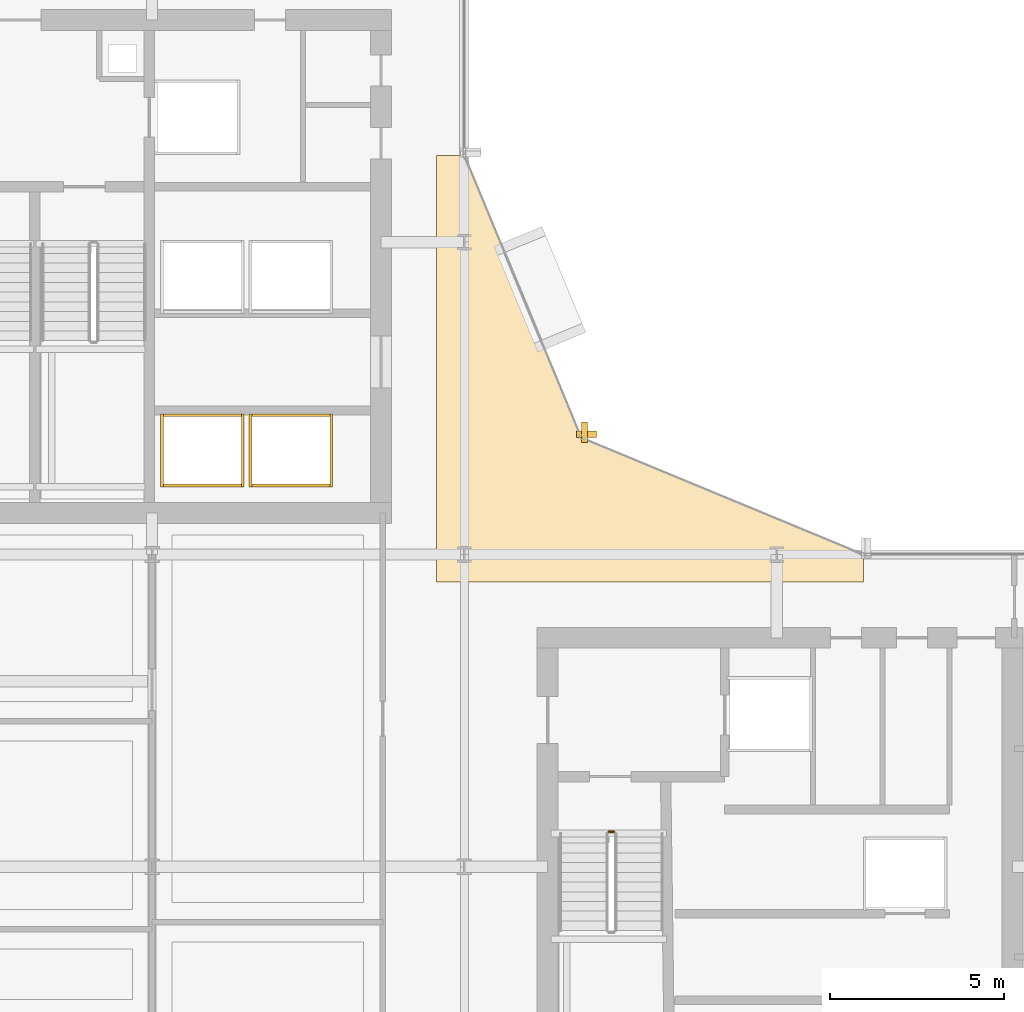
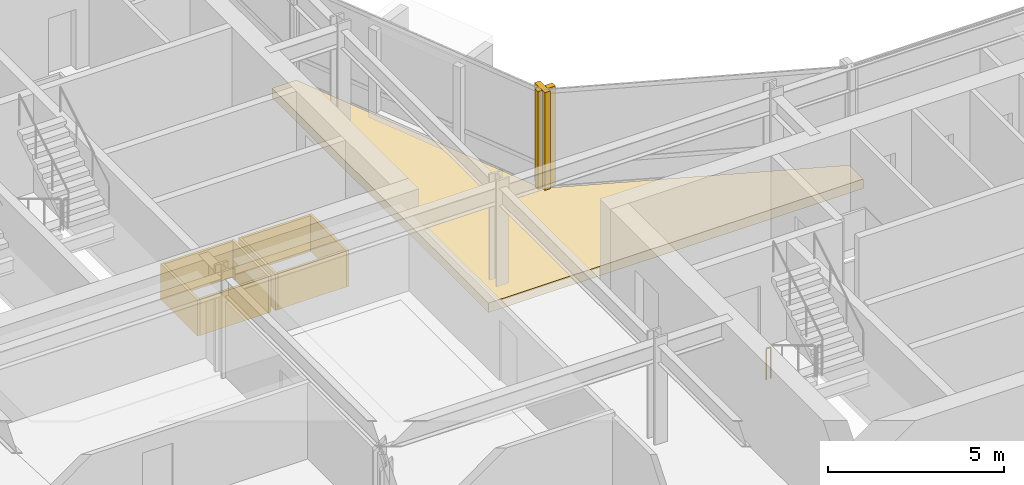
# One storey, part 26 of 28: 11 coverings, 1 railing.
"""IFC4 building model written with IfcOpenShell, lengths in metres."""

import ifcopenshell
import ifcopenshell.guid

model = None  # the IFC model being written
_history = None  # IfcOwnerHistory: only IFC2X3 demands one
_inside = {}  # id of a spatial element -> (the spatial element, [elements in it])
_under = {}  # id of a project, library or spatial element -> (it, [spatial elements below it])
_declared = {}  # id of a project -> (the project, [libraries it declares])
_typed = {}  # id of a type object -> (the type object, [elements of that type])
_made_of = {}  # id of a material, layer set ... -> (it, [elements and type objects made of it])


def new_model(schema):
    """Start an empty IFC model of exactly this schema.

    Asked for "IFC4X3", IfcOpenShell would pick the latest addendum, in which some entities
    have other attributes; the version numbers below select the first issue.
    IFC2X3 requires an IfcOwnerHistory on every rooted entity: one is made here for all.
    """
    global model, _history
    if schema == "IFC4X3":
        model = ifcopenshell.file(schema_version=(4, 3, 0, 0))
    else:
        model = ifcopenshell.file(schema=schema)
    _inside.clear()
    _under.clear()
    _declared.clear()
    _typed.clear()
    _made_of.clear()
    _history = None
    if model.schema == "IFC2X3":
        org = make("IfcOrganization", Name="unknown")
        user = make(
            "IfcPersonAndOrganization",
            ThePerson=make("IfcPerson", FamilyName="unknown"),
            TheOrganization=org,
        )
        app = make(
            "IfcApplication",
            ApplicationDeveloper=org,
            Version="unknown",
            ApplicationFullName="unknown",
            ApplicationIdentifier="unknown",
        )
        _history = make(
            "IfcOwnerHistory",
            OwningUser=user,
            OwningApplication=app,
            ChangeAction="ADDED",
            CreationDate=0,
        )
    return model


def make(cls, **values):
    """One entity of the class cls with the attributes given. An attribute that is None is left unset."""
    return model.create_entity(
        cls, **{name: value for name, value in values.items() if value is not None}
    )


def rooted(cls, **values):
    """An entity with a GlobalId (a new one), such as an element, a storey or a relation."""
    return make(cls, GlobalId=ifcopenshell.guid.new(), OwnerHistory=_history, **values)


def si_unit(unit_type, name, prefix=None):
    """IfcSIUnit, for example si_unit("LENGTHUNIT", "METRE", prefix="MILLI")."""
    return make("IfcSIUnit", UnitType=unit_type, Prefix=prefix, Name=name)


def assignment(units):
    """IfcUnitAssignment: the units of a project."""
    return None if units is None else make("IfcUnitAssignment", Units=units)


def point(xyz):
    """IfcCartesianPoint."""
    return None if xyz is None else make("IfcCartesianPoint", Coordinates=xyz)


def direction(xyz):
    """IfcDirection."""
    return None if xyz is None else make("IfcDirection", DirectionRatios=xyz)


def frame(location, z_axis=None, x_axis=None):
    """IfcAxis2Placement3D, a coordinate frame: its origin and axes. An axis left out is left unset."""
    return make(
        "IfcAxis2Placement3D",
        Location=point(location),
        Axis=direction(z_axis),
        RefDirection=direction(x_axis),
    )


def frame_2d(location, x_axis=None):
    """IfcAxis2Placement2D, a coordinate frame in the plane: its origin and x axis."""
    return make(
        "IfcAxis2Placement2D", Location=point(location), RefDirection=direction(x_axis)
    )


def origin():
    """The frame at (0, 0, 0) with its axes left unset."""
    return frame((0.0, 0.0, 0.0))


def origin_2d():
    """The frame at (0, 0) in the plane with its x axis left unset."""
    return frame_2d((0.0, 0.0))


def place(relative_to, where):
    """IfcLocalPlacement: puts the frame where relative to a parent placement (None: the world)."""
    return make(
        "IfcLocalPlacement", PlacementRelTo=relative_to, RelativePlacement=where
    )


def context(
    kind, dimensions, precision=None, world=None, true_north=None, identifier=None
):
    """IfcGeometricRepresentationContext, for example the 3D "Model" context."""
    return make(
        "IfcGeometricRepresentationContext",
        ContextIdentifier=identifier,
        ContextType=kind,
        CoordinateSpaceDimension=dimensions,
        Precision=precision,
        WorldCoordinateSystem=world,
        TrueNorth=true_north,
    )


def subcontext(parent, identifier, kind, view, scale=None):
    """IfcGeometricRepresentationSubContext, for example "Body" below "Model"."""
    return make(
        "IfcGeometricRepresentationSubContext",
        ContextIdentifier=identifier,
        ContextType=kind,
        ParentContext=parent,
        TargetScale=scale,
        TargetView=view,
    )


def project(units=None, contexts=None):
    """IfcProject with its units and contexts."""
    return rooted(
        "IfcProject",
        Name="project",
        RepresentationContexts=contexts,
        UnitsInContext=assignment(units),
    )


def spatial(cls, under=None, at=None, **own):
    """A site, building, storey or space (cls), placed at a placement, below another one or the project."""
    s = rooted(cls, ObjectPlacement=at, **own)
    if under is not None:
        _under.setdefault(under.id(), (under, []))[1].append(s)
    return s


def polyline(points):
    """IfcPolyline through the points."""
    return make("IfcPolyline", Points=[point(p) for p in points])


def profile(cls, at=None, kind="AREA", **sizes):
    """A parametric profile (cls). Its sizes go by their IFC names, for example OverallWidth=200.0."""
    return make(cls, ProfileType=kind, Position=at, **sizes)


def rectangle(**sizes):
    """IfcRectangleProfileDef."""
    return profile("IfcRectangleProfileDef", **sizes)


def circle(**sizes):
    """IfcCircleProfileDef."""
    return profile("IfcCircleProfileDef", **sizes)


def outline(outer, holes=None, kind="AREA"):
    """IfcArbitraryClosedProfileDef: a profile drawn as a closed curve; with holes, ...WithVoids."""
    if holes is None:
        return make("IfcArbitraryClosedProfileDef", ProfileType=kind, OuterCurve=outer)
    return make(
        "IfcArbitraryProfileDefWithVoids",
        ProfileType=kind,
        OuterCurve=outer,
        InnerCurves=holes,
    )


def extrude(swept, where, along, depth):
    """IfcExtrudedAreaSolid: the profile swept, set in the frame where, extruded along a direction by depth."""
    return make(
        "IfcExtrudedAreaSolid",
        SweptArea=swept,
        Position=where,
        ExtrudedDirection=direction(along),
        Depth=depth,
    )


def shape(context_of_items, identifier, shape_type, items):
    """IfcShapeRepresentation: the items that make up one representation, for example the "Body"."""
    return make(
        "IfcShapeRepresentation",
        ContextOfItems=context_of_items,
        RepresentationIdentifier=identifier,
        RepresentationType=shape_type,
        Items=items,
    )


def material(Name=None, Category=None):
    """IfcMaterial."""
    return make("IfcMaterial", Name=Name, Category=Category)


def layer(
    of_material, thickness, ventilated=None, Name=None, Category=None, Priority=None
):
    """IfcMaterialLayer: one layer of a wall or slab, of a material (None: an air gap)."""
    return make(
        "IfcMaterialLayer",
        Material=of_material,
        LayerThickness=thickness,
        IsVentilated=ventilated,
        Name=Name,
        Category=Category,
        Priority=Priority,
    )


def layer_set(layers, Name=None):
    """IfcMaterialLayerSet."""
    return make("IfcMaterialLayerSet", MaterialLayers=layers, LayerSetName=Name)


def made_of(thing, what):
    """Note that an element or type object is made of a material, layer set ...; save() writes the relation."""
    if what is not None:
        _made_of.setdefault(what.id(), (what, []))[1].append(thing)
    return thing


def type_object(cls, material=None, **own):
    """A type object (cls), such as IfcWallType, which elements share."""
    return made_of(rooted(cls, **own), material)


def element(
    cls,
    number,
    at=None,
    inside=None,
    cuts=None,
    type_object=None,
    material=None,
    context=None,
    identifier="Body",
    shape_type=None,
    held_by="IfcProductDefinitionShape",
    body=None,
    shapes=None,
    **own,
):
    """One element of the class cls, such as IfcWall. Its Tag is "e" and its number.

    at: its placement. inside: the storey or other place that contains it. cuts: it is an
    opening in that element (IfcRelVoidsElement). A single representation is given by context,
    identifier, shape_type and body (its items); several are given by shapes. held_by: the class
    of the entity that holds the representations. save() writes the other relations.
    """
    e = rooted(cls, Tag="e%d" % number, ObjectPlacement=at, **own)
    if body is not None:
        shapes = [shape(context, identifier, shape_type, body)]
    if shapes is not None:
        e.Representation = make(held_by, Representations=shapes)
    if inside is not None:
        _inside.setdefault(inside.id(), (inside, []))[1].append(e)
    if cuts is not None:
        rooted(
            "IfcRelVoidsElement", RelatingBuildingElement=cuts, RelatedOpeningElement=e
        )
    if type_object is not None:
        _typed.setdefault(type_object.id(), (type_object, []))[1].append(e)
    return made_of(e, material)


def aggregate(whole, parts):
    """IfcRelAggregates: a whole, such as a stair, and the parts it consists of."""
    return rooted("IfcRelAggregates", RelatingObject=whole, RelatedObjects=parts)


def save(model, path):
    """Write the relations noted so far, then the file.

    IfcRelAggregates (storeys below a building ...), IfcRelContainedInSpatialStructure (elements
    in a storey), IfcRelDefinesByType, IfcRelAssociatesMaterial and IfcRelDeclares: one each for
    every whole, place, type object, material and project.
    """
    for whole, parts in _under.values():
        aggregate(whole, parts)
    for where, things in _inside.values():
        rooted(
            "IfcRelContainedInSpatialStructure",
            RelatedElements=things,
            RelatingStructure=where,
        )
    for kind, things in _typed.values():
        rooted("IfcRelDefinesByType", RelatedObjects=things, RelatingType=kind)
    for what, things in _made_of.values():
        rooted("IfcRelAssociatesMaterial", RelatedObjects=things, RelatingMaterial=what)
    for by, libraries in _declared.values():
        rooted("IfcRelDeclares", RelatingContext=by, RelatedDefinitions=libraries)
    model.write(path)


model = new_model("IFC4")

# Units and contexts
model_context = context("Model", 3, precision=1e-05, world=origin(), true_north=direction((0.0, 1.0)))
body_context = subcontext(model_context, "Body", "Model", "MODEL_VIEW")
ifc_project = project(units=[si_unit("LENGTHUNIT", "METRE"), si_unit("AREAUNIT", "SQUARE_METRE"), si_unit("VOLUMEUNIT", "CUBIC_METRE"), si_unit("PLANEANGLEUNIT", "RADIAN"), si_unit("MASSUNIT", "GRAM", prefix="KILO")], contexts=[model_context])

# Site, building, storey
site_placement = place(None, origin())
site = spatial("IfcSite", under=ifc_project, at=site_placement, CompositionType="ELEMENT")
building_placement = place(site_placement, origin())
building = spatial("IfcBuilding", under=site, at=building_placement, Name="Solvaryn Broadcast Tower", CompositionType="ELEMENT")
storey_placement = place(building_placement, frame((0.0, 0.0, 110.0)))
storey = spatial("IfcBuildingStorey", under=building, at=storey_placement, Name="L26", CompositionType="ELEMENT", Elevation=110.0)

# Coverings
ifc_material_1 = material(Name="Fire-Rated Gypsum Shaftwall Liner", Category="concrete")
ifc_layer_1 = layer(ifc_material_1, 0.080078125)
ifc_layer_set_1 = layer_set([ifc_layer_1], Name="CV-SHAFT-LINER")
covering_type_1 = type_object("IfcCoveringType", Name="CV-SHAFT-LINER", PredefinedType="CLADDING", material=ifc_layer_set_1)
for number, where, z_axis, x_axis, name in (
    (1, (19.449951171875, 31.014892578125, 0.0), (0.0, 0.0, 1.0), (1.0, 0.0, 0.0), "L26 PH1 Hoistway Shaft Liner North"),
    (2, (19.449951171875, 28.985107421875, 0.0), (0.0, 0.0, 1.0), (1.0, 0.0, 0.0), "L26 PH1 Hoistway Shaft Liner South"),
):
    element("IfcCovering", number, at=place(storey_placement, frame(where, z_axis=z_axis, x_axis=x_axis)), inside=storey, type_object=covering_type_1, Name=name, PredefinedType="CLADDING", context=body_context, shape_type="SweptSolid", body=[
        extrude(rectangle(XDim=2.409912109375, YDim=0.080078125, at=origin_2d()), origin(), (0.0, 0.0, 1.0), 1.25),
    ])
for number, where, z_axis, x_axis, name in (
    (3, (20.614990234375, 30.0, 0.0), (0.0, 0.0, 1.0), (1.0, 0.0, 0.0), "L26 PH1 Hoistway Shaft Liner East"),
    (4, (18.284912109375, 30.0, 0.0), (0.0, 0.0, 1.0), (1.0, 0.0, 0.0), "L26 PH1 Hoistway Shaft Liner West"),
):
    element("IfcCovering", number, at=place(storey_placement, frame(where, z_axis=z_axis, x_axis=x_axis)), inside=storey, type_object=covering_type_1, Name=name, PredefinedType="CLADDING", context=body_context, shape_type="SweptSolid", body=[
        extrude(rectangle(XDim=0.080078125, YDim=2.110107421875, at=origin_2d()), origin(), (0.0, 0.0, 1.0), 1.25),
    ])
for number, where, z_axis, x_axis, name in (
    (5, (22.0, 31.014892578125, 0.0), (0.0, 0.0, 1.0), (1.0, 0.0, 0.0), "L26 PH2 Hoistway Shaft Liner North"),
    (6, (22.0, 28.985107421875, 0.0), (0.0, 0.0, 1.0), (1.0, 0.0, 0.0), "L26 PH2 Hoistway Shaft Liner South"),
):
    element("IfcCovering", number, at=place(storey_placement, frame(where, z_axis=z_axis, x_axis=x_axis)), inside=storey, type_object=covering_type_1, Name=name, PredefinedType="CLADDING", context=body_context, shape_type="SweptSolid", body=[
        extrude(rectangle(XDim=2.409912109375, YDim=0.080078125, at=origin_2d()), origin(), (0.0, 0.0, 1.0), 1.25),
    ])
for number, where, z_axis, x_axis, name in (
    (7, (23.1650390625, 30.0, 0.0), (0.0, 0.0, 1.0), (1.0, 0.0, 0.0), "L26 PH2 Hoistway Shaft Liner East"),
    (8, (20.8349609375, 30.0, 0.0), (0.0, 0.0, 1.0), (1.0, 0.0, 0.0), "L26 PH2 Hoistway Shaft Liner West"),
):
    element("IfcCovering", number, at=place(storey_placement, frame(where, z_axis=z_axis, x_axis=x_axis)), inside=storey, type_object=covering_type_1, Name=name, PredefinedType="CLADDING", context=body_context, shape_type="SweptSolid", body=[
        extrude(rectangle(XDim=0.080078125, YDim=2.110107421875, at=origin_2d()), origin(), (0.0, 0.0, 1.0), 1.25),
    ])
ifc_material_2 = material(Name="Extruded Architectural Terracotta Fin", Category="masonry")
ifc_layer_2 = layer(ifc_material_2, 0.179931640625)
ifc_layer_set_2 = layer_set([ifc_layer_2], Name="CV-TC-FIN")
covering_type_2 = type_object("IfcCoveringType", Name="CV-TC-FIN", PredefinedType="USERDEFINED", material=ifc_layer_set_2)
covering_1_placement = place(storey_placement, frame((30.464599609375, 30.52294921875, 0.0), z_axis=(0.0, 0.0, 1.0), x_axis=(1.0, 0.0, 0.0)))
element("IfcCovering", 9, at=covering_1_placement, inside=storey, type_object=covering_type_2, Name="L26 Terracotta Vertical Fin FIN-L26-CN1-M01", ObjectType="FIN", PredefinedType="USERDEFINED", context=body_context, shape_type="SweptSolid", body=[
    extrude(rectangle(XDim=0.179931640625, YDim=0.580078125, at=origin_2d()), origin(), (0.0, 0.0, 1.0), 3.419921875),
])
covering_2_placement = place(storey_placement, frame((30.52294921875, 30.464599609375, 0.0), z_axis=(0.0, 0.0, 1.0), x_axis=(1.0, 0.0, 0.0)))
element("IfcCovering", 10, at=covering_2_placement, inside=storey, type_object=covering_type_2, Name="L26 Terracotta Vertical Fin FIN-L26-CN2-M00", ObjectType="FIN", PredefinedType="USERDEFINED", context=body_context, shape_type="SweptSolid", body=[
    extrude(rectangle(XDim=0.580078125, YDim=0.179931640625, at=origin_2d()), origin(), (0.0, 0.0, 1.0), 3.419921875),
])
ifc_material_3 = material(Name="Sculpted Architectural Terracotta Wave Fascia", Category="masonry")
ifc_layer_3 = layer(ifc_material_3, 0.340087890625)
ifc_layer_set_3 = layer_set([ifc_layer_3], Name="CV-WAVE-TRAY")
covering_type_3 = type_object("IfcCoveringType", Name="CV-WAVE-TRAY", PredefinedType="CLADDING", material=ifc_layer_set_3)
covering_3_placement = place(storey_placement, frame((0.0, 0.0, -0.300048828125)))
element("IfcCovering", 11, at=covering_3_placement, inside=storey, type_object=covering_type_3, Name="L26 Concave Canyon Floor Apron", PredefinedType="CLADDING", context=body_context, shape_type="SweptSolid", body=[
    extrude(outline(polyline([(26.199951171875, 26.199951171875), (38.5, 26.199951171875), (38.5, 27.0), (30.367919921875, 30.367919921875), (27.0, 38.5), (26.199951171875, 38.5), (26.199951171875, 26.199951171875)])), origin(), (0.0, 0.0, 1.0), 0.330078125),
])

# Railing
ifc_material_4 = material(Name="Painted Steel Stair Well Guard", Category="steel")
railing_type = type_object("IfcRailingType", Name="RL-STAIR-GUARD", PredefinedType="BALUSTRADE", material=ifc_material_4)
railing_placement = place(storey_placement, frame((31.159912109375, 19.010009765625, 0.0)))
element("IfcRailing", 12, at=railing_placement, inside=storey, type_object=railing_type, Name="L26 ST3 stair guard 4", PredefinedType="BALUSTRADE", context=body_context, shape_type="SweptSolid", body=[
    extrude(circle(Radius=0.02392578125, at=origin_2d()), frame((0.0, 0.0, 1.076171875), z_axis=(1.0, 0.0, 0.0), x_axis=(0.0, 1.0, 0.0)), (0.0, 0.0, 1.0), 0.150146484375),
    extrude(circle(Radius=0.02099609375, at=origin_2d()), origin(), (0.0, 0.0, 1.0), 1.052001953125),
    extrude(circle(Radius=0.02099609375, at=origin_2d()), frame((0.150146484375, 0.0, 0.0)), (0.0, 0.0, 1.0), 1.052001953125),
])

save(model, "model.ifc")
